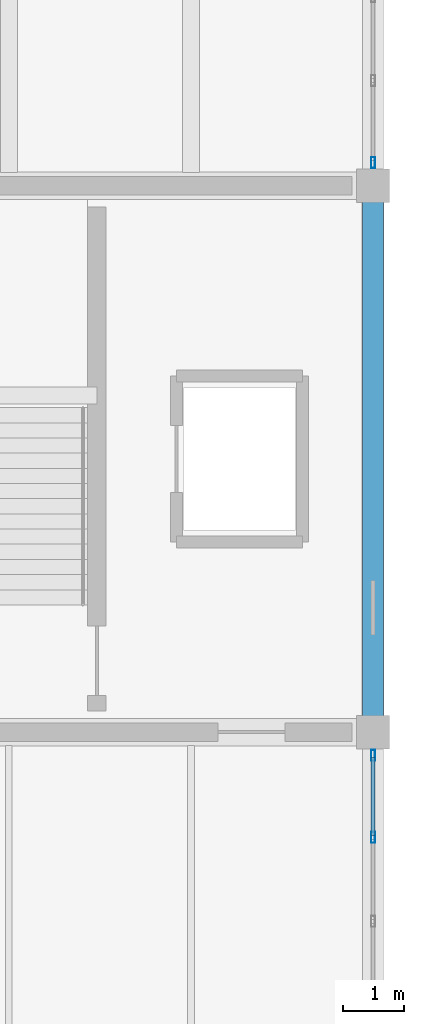
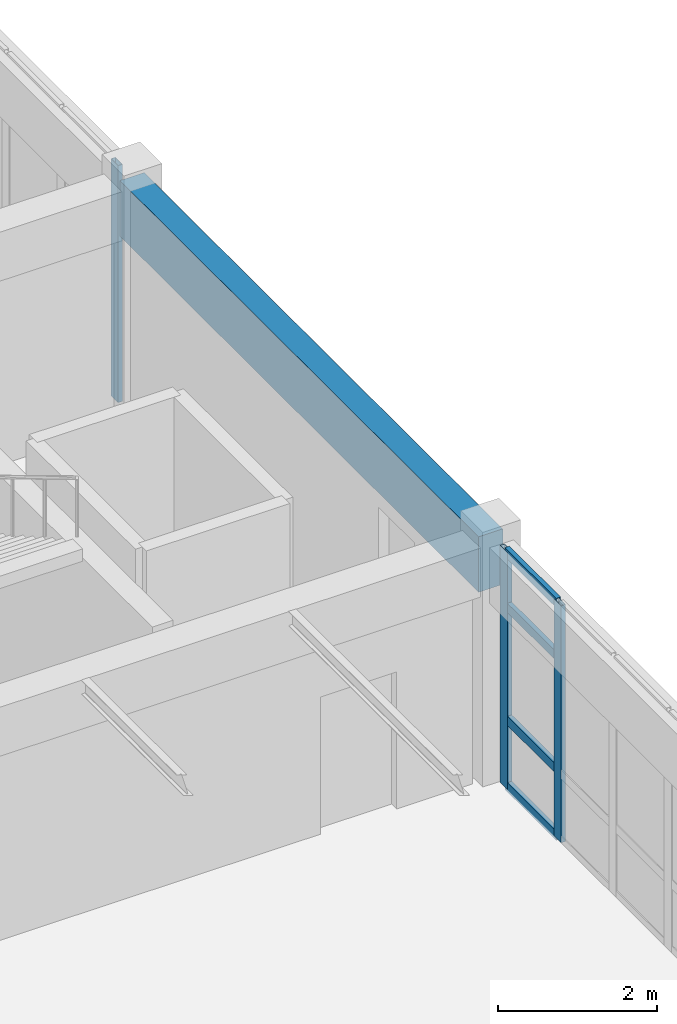
# One storey, part 99 of 156: 7 members, 1 beam, 2 elements without a shape of their own.
"""IFC4 building model written with IfcOpenShell, lengths in metres."""

import ifcopenshell
import ifcopenshell.guid

model = None  # the IFC model being written
_history = None  # IfcOwnerHistory: only IFC2X3 demands one
_inside = {}  # id of a spatial element -> (the spatial element, [elements in it])
_under = {}  # id of a project, library or spatial element -> (it, [spatial elements below it])
_declared = {}  # id of a project -> (the project, [libraries it declares])
_typed = {}  # id of a type object -> (the type object, [elements of that type])
_made_of = {}  # id of a material, layer set ... -> (it, [elements and type objects made of it])


def new_model(schema):
    """Start an empty IFC model of exactly this schema.

    Asked for "IFC4X3", IfcOpenShell would pick the latest addendum, in which some entities
    have other attributes; the version numbers below select the first issue.
    IFC2X3 requires an IfcOwnerHistory on every rooted entity: one is made here for all.
    """
    global model, _history
    if schema == "IFC4X3":
        model = ifcopenshell.file(schema_version=(4, 3, 0, 0))
    else:
        model = ifcopenshell.file(schema=schema)
    _inside.clear()
    _under.clear()
    _declared.clear()
    _typed.clear()
    _made_of.clear()
    _history = None
    if model.schema == "IFC2X3":
        org = make("IfcOrganization", Name="unknown")
        user = make(
            "IfcPersonAndOrganization",
            ThePerson=make("IfcPerson", FamilyName="unknown"),
            TheOrganization=org,
        )
        app = make(
            "IfcApplication",
            ApplicationDeveloper=org,
            Version="unknown",
            ApplicationFullName="unknown",
            ApplicationIdentifier="unknown",
        )
        _history = make(
            "IfcOwnerHistory",
            OwningUser=user,
            OwningApplication=app,
            ChangeAction="ADDED",
            CreationDate=0,
        )
    return model


def make(cls, **values):
    """One entity of the class cls with the attributes given. An attribute that is None is left unset."""
    return model.create_entity(
        cls, **{name: value for name, value in values.items() if value is not None}
    )


def rooted(cls, **values):
    """An entity with a GlobalId (a new one), such as an element, a storey or a relation."""
    return make(cls, GlobalId=ifcopenshell.guid.new(), OwnerHistory=_history, **values)


def si_unit(unit_type, name, prefix=None):
    """IfcSIUnit, for example si_unit("LENGTHUNIT", "METRE", prefix="MILLI")."""
    return make("IfcSIUnit", UnitType=unit_type, Prefix=prefix, Name=name)


def assignment(units):
    """IfcUnitAssignment: the units of a project."""
    return None if units is None else make("IfcUnitAssignment", Units=units)


def point(xyz):
    """IfcCartesianPoint."""
    return None if xyz is None else make("IfcCartesianPoint", Coordinates=xyz)


def direction(xyz):
    """IfcDirection."""
    return None if xyz is None else make("IfcDirection", DirectionRatios=xyz)


def frame(location, z_axis=None, x_axis=None):
    """IfcAxis2Placement3D, a coordinate frame: its origin and axes. An axis left out is left unset."""
    return make(
        "IfcAxis2Placement3D",
        Location=point(location),
        Axis=direction(z_axis),
        RefDirection=direction(x_axis),
    )


def frame_2d(location, x_axis=None):
    """IfcAxis2Placement2D, a coordinate frame in the plane: its origin and x axis."""
    return make(
        "IfcAxis2Placement2D", Location=point(location), RefDirection=direction(x_axis)
    )


def origin():
    """The frame at (0, 0, 0) with its axes left unset."""
    return frame((0.0, 0.0, 0.0))


def origin_2d():
    """The frame at (0, 0) in the plane with its x axis left unset."""
    return frame_2d((0.0, 0.0))


def place(relative_to, where):
    """IfcLocalPlacement: puts the frame where relative to a parent placement (None: the world)."""
    return make(
        "IfcLocalPlacement", PlacementRelTo=relative_to, RelativePlacement=where
    )


def context(
    kind, dimensions, precision=None, world=None, true_north=None, identifier=None
):
    """IfcGeometricRepresentationContext, for example the 3D "Model" context."""
    return make(
        "IfcGeometricRepresentationContext",
        ContextIdentifier=identifier,
        ContextType=kind,
        CoordinateSpaceDimension=dimensions,
        Precision=precision,
        WorldCoordinateSystem=world,
        TrueNorth=true_north,
    )


def subcontext(parent, identifier, kind, view, scale=None):
    """IfcGeometricRepresentationSubContext, for example "Body" below "Model"."""
    return make(
        "IfcGeometricRepresentationSubContext",
        ContextIdentifier=identifier,
        ContextType=kind,
        ParentContext=parent,
        TargetScale=scale,
        TargetView=view,
    )


def project(units=None, contexts=None):
    """IfcProject with its units and contexts."""
    return rooted(
        "IfcProject",
        Name="project",
        RepresentationContexts=contexts,
        UnitsInContext=assignment(units),
    )


def spatial(cls, under=None, at=None, **own):
    """A site, building, storey or space (cls), placed at a placement, below another one or the project."""
    s = rooted(cls, ObjectPlacement=at, **own)
    if under is not None:
        _under.setdefault(under.id(), (under, []))[1].append(s)
    return s


def profile(cls, at=None, kind="AREA", **sizes):
    """A parametric profile (cls). Its sizes go by their IFC names, for example OverallWidth=200.0."""
    return make(cls, ProfileType=kind, Position=at, **sizes)


def rectangle(**sizes):
    """IfcRectangleProfileDef."""
    return profile("IfcRectangleProfileDef", **sizes)


def hollow_rectangle(**sizes):
    """IfcRectangleHollowProfileDef."""
    return profile("IfcRectangleHollowProfileDef", **sizes)


def extrude(swept, where, along, depth):
    """IfcExtrudedAreaSolid: the profile swept, set in the frame where, extruded along a direction by depth."""
    return make(
        "IfcExtrudedAreaSolid",
        SweptArea=swept,
        Position=where,
        ExtrudedDirection=direction(along),
        Depth=depth,
    )


def shape(context_of_items, identifier, shape_type, items):
    """IfcShapeRepresentation: the items that make up one representation, for example the "Body"."""
    return make(
        "IfcShapeRepresentation",
        ContextOfItems=context_of_items,
        RepresentationIdentifier=identifier,
        RepresentationType=shape_type,
        Items=items,
    )


def material(Name=None, Category=None):
    """IfcMaterial."""
    return make("IfcMaterial", Name=Name, Category=Category)


def layer(
    of_material, thickness, ventilated=None, Name=None, Category=None, Priority=None
):
    """IfcMaterialLayer: one layer of a wall or slab, of a material (None: an air gap)."""
    return make(
        "IfcMaterialLayer",
        Material=of_material,
        LayerThickness=thickness,
        IsVentilated=ventilated,
        Name=Name,
        Category=Category,
        Priority=Priority,
    )


def layer_set(layers, Name=None):
    """IfcMaterialLayerSet."""
    return make("IfcMaterialLayerSet", MaterialLayers=layers, LayerSetName=Name)


def material_profile(
    of_material, cross_section, Name=None, Category=None, Priority=None
):
    """IfcMaterialProfile: a cross section and its material."""
    return make(
        "IfcMaterialProfile",
        Name=Name,
        Material=of_material,
        Profile=cross_section,
        Priority=Priority,
        Category=Category,
    )


def profile_set(profiles, Name=None, composite=None):
    """IfcMaterialProfileSet."""
    return make(
        "IfcMaterialProfileSet",
        Name=Name,
        MaterialProfiles=profiles,
        CompositeProfile=composite,
    )


def made_of(thing, what):
    """Note that an element or type object is made of a material, layer set ...; save() writes the relation."""
    if what is not None:
        _made_of.setdefault(what.id(), (what, []))[1].append(thing)
    return thing


def type_object(cls, material=None, **own):
    """A type object (cls), such as IfcWallType, which elements share."""
    return made_of(rooted(cls, **own), material)


def element(
    cls,
    number,
    at=None,
    inside=None,
    cuts=None,
    type_object=None,
    material=None,
    context=None,
    identifier="Body",
    shape_type=None,
    held_by="IfcProductDefinitionShape",
    body=None,
    shapes=None,
    **own,
):
    """One element of the class cls, such as IfcWall. Its Tag is "e" and its number.

    at: its placement. inside: the storey or other place that contains it. cuts: it is an
    opening in that element (IfcRelVoidsElement). A single representation is given by context,
    identifier, shape_type and body (its items); several are given by shapes. held_by: the class
    of the entity that holds the representations. save() writes the other relations.
    """
    e = rooted(cls, Tag="e%d" % number, ObjectPlacement=at, **own)
    if body is not None:
        shapes = [shape(context, identifier, shape_type, body)]
    if shapes is not None:
        e.Representation = make(held_by, Representations=shapes)
    if inside is not None:
        _inside.setdefault(inside.id(), (inside, []))[1].append(e)
    if cuts is not None:
        rooted(
            "IfcRelVoidsElement", RelatingBuildingElement=cuts, RelatedOpeningElement=e
        )
    if type_object is not None:
        _typed.setdefault(type_object.id(), (type_object, []))[1].append(e)
    return made_of(e, material)


def aggregate(whole, parts):
    """IfcRelAggregates: a whole, such as a stair, and the parts it consists of."""
    return rooted("IfcRelAggregates", RelatingObject=whole, RelatedObjects=parts)


def save(model, path):
    """Write the relations noted so far, then the file.

    IfcRelAggregates (storeys below a building ...), IfcRelContainedInSpatialStructure (elements
    in a storey), IfcRelDefinesByType, IfcRelAssociatesMaterial and IfcRelDeclares: one each for
    every whole, place, type object, material and project.
    """
    for whole, parts in _under.values():
        aggregate(whole, parts)
    for where, things in _inside.values():
        rooted(
            "IfcRelContainedInSpatialStructure",
            RelatedElements=things,
            RelatingStructure=where,
        )
    for kind, things in _typed.values():
        rooted("IfcRelDefinesByType", RelatedObjects=things, RelatingType=kind)
    for what, things in _made_of.values():
        rooted("IfcRelAssociatesMaterial", RelatedObjects=things, RelatingMaterial=what)
    for by, libraries in _declared.values():
        rooted("IfcRelDeclares", RelatingContext=by, RelatedDefinitions=libraries)
    model.write(path)


model = new_model("IFC4")

# Units and contexts
model_context = context("Model", 3, precision=1e-05, world=origin(), true_north=direction((0.0, 1.0)))
body_context = subcontext(model_context, "Body", "Model", "MODEL_VIEW")
ifc_project = project(units=[si_unit("LENGTHUNIT", "METRE"), si_unit("AREAUNIT", "SQUARE_METRE"), si_unit("VOLUMEUNIT", "CUBIC_METRE"), si_unit("PLANEANGLEUNIT", "RADIAN"), si_unit("MASSUNIT", "GRAM", prefix="KILO")], contexts=[model_context])

# Site, building, storey
site_placement = place(None, origin())
site = spatial("IfcSite", under=ifc_project, at=site_placement, CompositionType="ELEMENT")
building_placement = place(site_placement, origin())
building = spatial("IfcBuilding", under=site, at=building_placement, Name="Ornek Quay Market", CompositionType="ELEMENT")
storey_placement = place(building_placement, frame((0.0, 0.0, 4.5)))
storey = spatial("IfcBuildingStorey", under=building, at=storey_placement, Name="L01", CompositionType="ELEMENT", Elevation=4.5)

# Beam
ifc_material_1 = material(Name="Concrete C40/50", Category="concrete")
ifc_material_profile_1 = material_profile(ifc_material_1, rectangle(XDim=0.35009765625, YDim=0.85009765625, at=origin_2d()), Name="RC 350x850", Category="concrete")
ifc_profile_set_1 = profile_set([ifc_material_profile_1], Name="Concrete C40/50")
beam_type = type_object("IfcBeamType", Name="BM-SPN-350x850", PredefinedType="SPANDREL", material=ifc_profile_set_1)
beam_placement = place(storey_placement, frame((180.0, 92.0, 3.205078125), z_axis=(0.0, 1.0, 0.0), x_axis=(-1.0, 0.0, 0.0)))
element("IfcBeam", 1, at=beam_placement, inside=storey, type_object=beam_type, Name="Primary beam B-SP1-115", PredefinedType="SPANDREL", context=body_context, shape_type="SweptSolid", body=[
    extrude(rectangle(XDim=0.35009765625, YDim=0.85009765625, at=origin_2d()), origin(), (0.0, 0.0, 1.0), 9.0),
])

# Curtain wall, members
ifc_material_2 = material(Name="Anodised bronze aluminium and triple low-e glass", Category="aluminium")
ifc_layer = layer(ifc_material_2, 0.18994140625, Name="Anodised bronze aluminium and triple low-e glass", Category="aluminium")
ifc_layer_set = layer_set([ifc_layer], Name="Anodised bronze aluminium and triple low-e glass")
curtain_wall_type = type_object("IfcCurtainWallType", Name="CW-FC-MOD1500", PredefinedType="USERDEFINED", material=ifc_layer_set)
curtain_wall_1_placement = place(storey_placement, origin())
curtain_wall_1 = element("IfcCurtainWall", 2, at=curtain_wall_1_placement, inside=storey, type_object=curtain_wall_type, Name="Curtain wall CW-086", ObjectType="CURTAIN WALL", PredefinedType="USERDEFINED")
ifc_material_3 = material(Name="Anodised aluminium 6063-T6", Category="aluminium")
ifc_material_profile_2 = material_profile(ifc_material_3, hollow_rectangle(XDim=0.06494140625, YDim=0.179931640625, WallThickness=0.00439453125, at=origin_2d()), Name="CW-MUL-65x180", Category="aluminium")
ifc_profile_set_2 = profile_set([ifc_material_profile_2], Name="Anodised aluminium 6063-T6")
member_type_1 = type_object("IfcMemberType", Name="CW-MUL-65x180", PredefinedType="MULLION", material=ifc_profile_set_2)
member_1_placement = place(storey_placement, frame((180.0, 90.2666015625, 0.0), z_axis=(0.0, 0.0, 1.0), x_axis=(-1.0, 0.0, 0.0)))
member_1 = element("IfcMember", 3, at=member_1_placement, type_object=member_type_1, Name="CW-086 mullion 6", PredefinedType="MULLION", context=body_context, shape_type="SweptSolid", body=[
    extrude(hollow_rectangle(XDim=0.06494140625, YDim=0.179931640625, WallThickness=0.00439453125, at=origin_2d()), origin(), (0.0, 0.0, 1.0), 3.6298828125),
])
member_2_placement = place(storey_placement, frame((180.0, 91.617431640625, 0.0), z_axis=(0.0, 0.0, 1.0), x_axis=(-1.0, 0.0, 0.0)))
member_2 = element("IfcMember", 4, at=member_2_placement, type_object=member_type_1, Name="CW-086 mullion 7", PredefinedType="MULLION", context=body_context, shape_type="SweptSolid", body=[
    extrude(hollow_rectangle(XDim=0.06494140625, YDim=0.179931640625, WallThickness=0.00439453125, at=origin_2d()), origin(), (0.0, 0.0, 1.0), 3.6298828125),
])

# Curtain wall, member
curtain_wall_2_placement = place(storey_placement, origin())
curtain_wall_2 = element("IfcCurtainWall", 5, at=curtain_wall_2_placement, inside=storey, type_object=curtain_wall_type, Name="Curtain wall CW-087", ObjectType="CURTAIN WALL", PredefinedType="USERDEFINED")
member_3_placement = place(storey_placement, frame((180.0, 101.382568359375, 0.0), z_axis=(0.0, 0.0, 1.0), x_axis=(-1.0, 0.0, 0.0)))
member_3 = element("IfcMember", 6, at=member_3_placement, type_object=member_type_1, Name="CW-087 mullion 1", PredefinedType="MULLION", context=body_context, shape_type="SweptSolid", body=[
    extrude(hollow_rectangle(XDim=0.06494140625, YDim=0.179931640625, WallThickness=0.00439453125, at=origin_2d()), origin(), (0.0, 0.0, 1.0), 3.6298828125),
])
aggregate(curtain_wall_2, [member_3])

# Member
ifc_material_profile_3 = material_profile(ifc_material_3, hollow_rectangle(XDim=0.06494140625, YDim=0.139892578125, WallThickness=0.00439453125, at=origin_2d()), Name="CW-TRN-65x140", Category="aluminium")
ifc_profile_set_3 = profile_set([ifc_material_profile_3], Name="Anodised aluminium 6063-T6")
member_type_2 = type_object("IfcMemberType", Name="CW-TRN-65x140", PredefinedType="USERDEFINED", material=ifc_profile_set_3)
member_4_placement = place(storey_placement, frame((180.0, 90.299072265625, 0.032470703125), z_axis=(0.0, 1.0, 0.0), x_axis=(-1.0, 0.0, 0.0)))
member_4 = element("IfcMember", 7, at=member_4_placement, type_object=member_type_2, Name="CW-086 transom 6.1", ObjectType="TRANSOM", PredefinedType="USERDEFINED", context=body_context, shape_type="SweptSolid", body=[
    extrude(hollow_rectangle(XDim=0.06494140625, YDim=0.139892578125, WallThickness=0.00439453125, at=origin_2d()), origin(), (0.0, 0.0, 1.0), 1.285888671875),
])

member_5_placement = place(storey_placement, frame((180.0, 90.299072265625, 1.050048828125), z_axis=(0.0, 1.0, 0.0), x_axis=(-1.0, 0.0, 0.0)))
member_5 = element("IfcMember", 8, at=member_5_placement, type_object=member_type_2, Name="CW-086 transom 6.2", ObjectType="TRANSOM", PredefinedType="USERDEFINED", context=body_context, shape_type="SweptSolid", body=[
    extrude(hollow_rectangle(XDim=0.06494140625, YDim=0.139892578125, WallThickness=0.00439453125, at=origin_2d()), origin(), (0.0, 0.0, 1.0), 1.285888671875),
])

member_6_placement = place(storey_placement, frame((180.0, 90.299072265625, 2.780029296875), z_axis=(0.0, 1.0, 0.0), x_axis=(-1.0, 0.0, 0.0)))
member_6 = element("IfcMember", 9, at=member_6_placement, type_object=member_type_2, Name="CW-086 transom 6.3", ObjectType="TRANSOM", PredefinedType="USERDEFINED", context=body_context, shape_type="SweptSolid", body=[
    extrude(hollow_rectangle(XDim=0.06494140625, YDim=0.139892578125, WallThickness=0.00439453125, at=origin_2d()), origin(), (0.0, 0.0, 1.0), 1.285888671875),
])

member_7_placement = place(storey_placement, frame((180.0, 90.299072265625, 3.597412109375), z_axis=(0.0, 1.0, 0.0), x_axis=(-1.0, 0.0, 0.0)))
member_7 = element("IfcMember", 10, at=member_7_placement, type_object=member_type_2, Name="CW-086 transom 6.4", ObjectType="TRANSOM", PredefinedType="USERDEFINED", context=body_context, shape_type="SweptSolid", body=[
    extrude(hollow_rectangle(XDim=0.06494140625, YDim=0.139892578125, WallThickness=0.00439453125, at=origin_2d()), origin(), (0.0, 0.0, 1.0), 1.285888671875),
])

aggregate(curtain_wall_1, [member_1, member_2, member_4, member_5, member_6, member_7])

save(model, "model.ifc")
